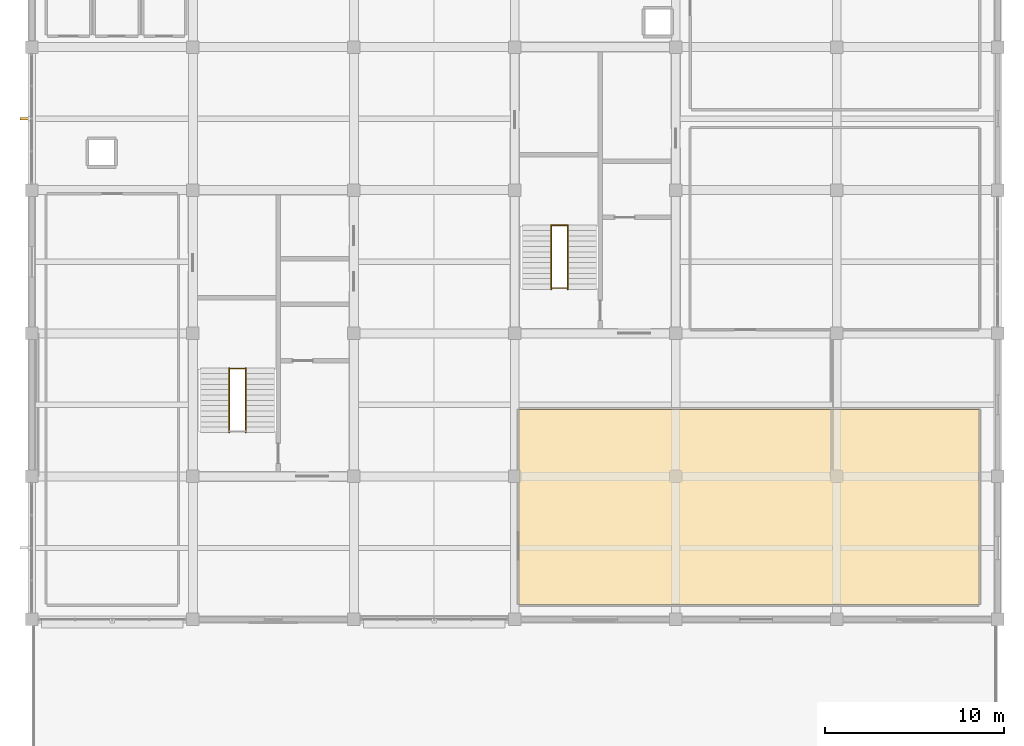
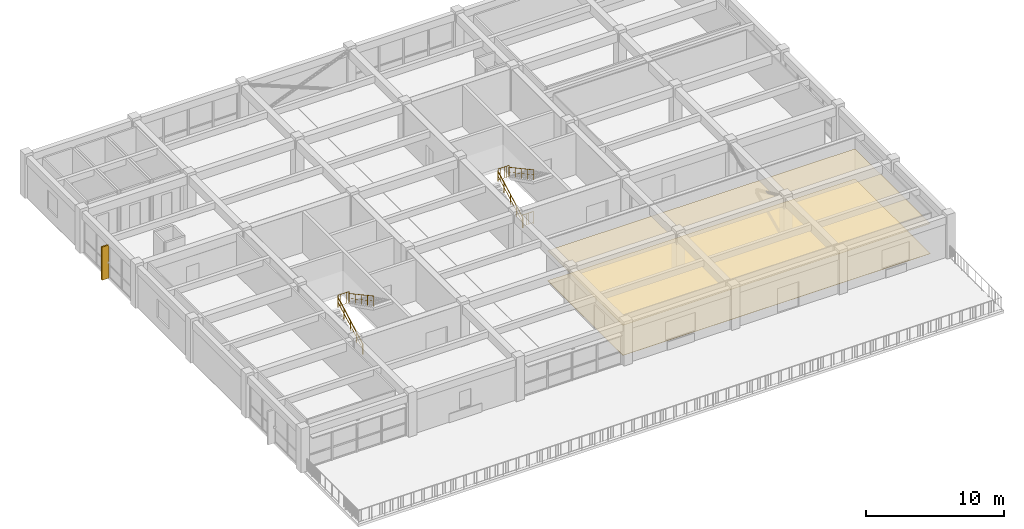
# One storey, part 14 of 14: 7 railings, 2 coverings, 1 shading device.
"""IFC4 building model written with IfcOpenShell, lengths in metres."""

from ifc_helpers import new_model, si_unit, direction, frame, frame_2d, origin, origin_2d, place, context, subcontext, project, spatial, polyline, rectangle, circle, outline, extrude, material, layer, layer_set, type_object, element, save


model = new_model("IFC4")

# Units and contexts
model_context = context("Model", 3, precision=1e-05, world=origin(), true_north=direction((0.0, 1.0)))
body_context = subcontext(model_context, "Body", "Model", "MODEL_VIEW")
ifc_project = project(units=[si_unit("LENGTHUNIT", "METRE"), si_unit("AREAUNIT", "SQUARE_METRE"), si_unit("VOLUMEUNIT", "CUBIC_METRE"), si_unit("PLANEANGLEUNIT", "RADIAN"), si_unit("MASSUNIT", "GRAM", prefix="KILO")], contexts=[model_context])

# Site, building, storey
site_placement = place(None, origin())
site = spatial("IfcSite", under=ifc_project, at=site_placement, CompositionType="ELEMENT")
building_placement = place(site_placement, origin())
building = spatial("IfcBuilding", under=site, at=building_placement, Name="Zaverband Oceanarium and Marine Research Institute", CompositionType="ELEMENT")
storey_placement = place(building_placement, frame((0.0, 0.0, 57.0)))
storey = spatial("IfcBuildingStorey", under=building, at=storey_placement, Name="L14", CompositionType="ELEMENT", Elevation=57.0)

# Coverings
ifc_material_1 = material(Name="Perforated mineral-fibre acoustic ceiling tile")
ifc_layer_1 = layer(ifc_material_1, 0.02490234375, Name="Perforated mineral-fibre acoustic ceiling tile")
ifc_layer_set_1 = layer_set([ifc_layer_1], Name="Perforated mineral-fibre acoustic ceiling tile")
covering_type_1 = type_object("IfcCoveringType", Name="CLG-AC-15", PredefinedType="CEILING", material=ifc_layer_set_1)
covering_1_placement = place(storey_placement, frame((0.0, 0.0, 2.659912109375)))
element("IfcCovering", 1, at=covering_1_placement, inside=storey, type_object=covering_type_1, Name="Suspended acoustic ceiling CLG-AC-15", PredefinedType="CEILING", context=body_context, shape_type="SweptSolid", body=[
    extrude(outline(polyline([(36.25, 72.85009765625), (61.949951171875, 72.85009765625), (61.949951171875, 83.75), (36.25, 83.75), (36.25, 72.85009765625)])), origin(), (0.0, 0.0, 1.0), 0.025146484375),
])
ifc_material_2 = material(Name="Polished marine terrazzo and seamless laboratory epoxy flooring")
ifc_layer_2 = layer(ifc_material_2, 0.02490234375, Name="Polished marine terrazzo and seamless laboratory epoxy flooring")
ifc_layer_set_2 = layer_set([ifc_layer_2], Name="Polished marine terrazzo and seamless laboratory epoxy flooring")
covering_type_2 = type_object("IfcCoveringType", Name="FLR-TRZ-20", PredefinedType="FLOORING", material=ifc_layer_set_2)
covering_2_placement = place(storey_placement, origin())
element("IfcCovering", 2, at=covering_2_placement, inside=storey, type_object=covering_type_2, Name="Terrazzo and marine epoxy floor finish FLR-TRZ-20", PredefinedType="FLOORING", context=body_context, shape_type="SweptSolid", body=[
    extrude(outline(polyline([(36.25, 72.85009765625), (61.949951171875, 72.85009765625), (61.949951171875, 83.75), (36.25, 83.75), (36.25, 72.85009765625)])), origin(), (0.0, 0.0, 1.0), 0.02490234375),
])

# Railings
ifc_material_3 = material(Name="Steel S355", Category="steel")
ifc_layer_3 = layer(ifc_material_3, 0.06005859375, Name="Steel S355")
ifc_layer_set_3 = layer_set([ifc_layer_3], Name="Steel S355")
railing_type_1 = type_object("IfcRailingType", Name="GRD-1100", PredefinedType="BALUSTRADE", material=ifc_layer_set_3)
for number, where, name in (
    (3, (20.0400390625, 86.030029296875, 1.949951171875), "1100 mm steel post-and-baluster safety guard GRD-1100"),
    (4, (38.0400390625, 94.030029296875, 1.949951171875), "1100 mm steel post-and-baluster safety guard GRD-1100"),
    (5, (38.0400390625, 90.530029296875, 0.0), "1100 mm steel post-and-baluster safety guard GRD-1100"),
):
    element("IfcRailing", number, at=place(storey_placement, frame(where)), inside=storey, type_object=railing_type_1, Name=name, PredefinedType="BALUSTRADE", context=body_context, shape_type="SweptSolid", body=[
        extrude(circle(Radius=0.02392578125, at=origin_2d()), frame((0.0, 0.0, 1.076171875), z_axis=(1.0, 0.0, 0.0), x_axis=(0.0, 1.0, 0.0)), (0.0, 0.0, 1.0), 0.919921875),
        extrude(circle(Radius=0.009033203125, at=origin_2d()), frame((0.0, 0.0, 0.10009765625), z_axis=(1.0, 0.0, 0.0), x_axis=(0.0, 1.0, 0.0)), (0.0, 0.0, 1.0), 0.919921875),
        extrude(circle(Radius=0.009033203125, at=origin_2d()), frame((0.18408203125, 0.0, 0.10009765625)), (0.0, 0.0, 1.0), 0.951904296875),
        extrude(circle(Radius=0.009033203125, at=origin_2d()), frame((0.367919921875, 0.0, 0.10009765625)), (0.0, 0.0, 1.0), 0.951904296875),
        extrude(circle(Radius=0.009033203125, at=origin_2d()), frame((0.552001953125, 0.0, 0.10009765625)), (0.0, 0.0, 1.0), 0.951904296875),
        extrude(circle(Radius=0.009033203125, at=origin_2d()), frame((0.73583984375, 0.0, 0.10009765625)), (0.0, 0.0, 1.0), 0.951904296875),
        extrude(circle(Radius=0.02099609375, at=origin_2d()), origin(), (0.0, 0.0, 1.0), 1.052001953125),
        extrude(circle(Radius=0.02099609375, at=origin_2d()), frame((0.919921875, 0.0, 0.0)), (0.0, 0.0, 1.0), 1.052001953125),
    ])
ifc_layer_4 = layer(ifc_material_3, 0.050048828125, Name="Steel S355")
ifc_layer_set_4 = layer_set([ifc_layer_4], Name="Steel S355")
railing_type_2 = type_object("IfcRailingType", Name="HR-920", PredefinedType="HANDRAIL", material=ifc_layer_set_4)
railing_1_placement = place(storey_placement, frame((20.0400390625, 82.449951171875, 0.0)))
element("IfcRailing", 6, at=railing_1_placement, inside=storey, type_object=railing_type_2, Name="920 mm continuous tubular stair and ramp handrail HR-920", PredefinedType="HANDRAIL", context=body_context, shape_type="SweptSolid", body=[
    extrude(circle(Radius=0.02392578125, at=origin_2d()), frame((0.0, 0.0, 0.89599609375), z_axis=(0.0, 0.879302371543, 0.476263938798), x_axis=(-1.0, 0.0, 0.0)), (0.0, 0.0, 1.0), 4.09423828125),
    extrude(circle(Radius=0.009033203125, at=origin_2d()), frame((0.0, 0.0, 0.4599609375), z_axis=(0.0, 0.879302371543, 0.476263938798), x_axis=(-1.0, 0.0, 0.0)), (0.0, 0.0, 1.0), 4.09423828125),
    extrude(circle(Radius=0.02099609375, at=origin_2d()), origin(), (0.0, 0.0, 1.0), 0.871826171875),
    extrude(circle(Radius=0.02099609375, at=origin_2d()), frame((0.0, 0.89990234375, 0.487548828125)), (0.0, 0.0, 1.0), 0.871826171875),
    extrude(circle(Radius=0.02099609375, at=origin_2d()), frame((0.0, 1.800048828125, 0.97509765625)), (0.0, 0.0, 1.0), 0.871826171875),
    extrude(circle(Radius=0.02099609375, at=origin_2d()), frame((0.0, 2.7001953125, 1.46240234375)), (0.0, 0.0, 1.0), 0.871826171875),
    extrude(circle(Radius=0.02099609375, at=origin_2d()), frame((0.0, 3.60009765625, 1.949951171875)), (0.0, 0.0, 1.0), 0.871826171875),
])
railing_2_placement = place(storey_placement, frame((20.9599609375, 86.050048828125, 1.949951171875)))
element("IfcRailing", 7, at=railing_2_placement, inside=storey, type_object=railing_type_2, Name="920 mm continuous tubular stair and ramp handrail HR-920", PredefinedType="HANDRAIL", context=body_context, shape_type="SweptSolid", body=[
    extrude(circle(Radius=0.02392578125, at=origin_2d()), frame((0.0, 0.0, 0.89599609375), z_axis=(0.0, -0.879302371543, 0.476263938798), x_axis=(1.0, 0.0, 0.0)), (0.0, 0.0, 1.0), 4.09423828125),
    extrude(circle(Radius=0.009033203125, at=origin_2d()), frame((0.0, 0.0, 0.4599609375), z_axis=(0.0, -0.879302371543, 0.476263938798), x_axis=(1.0, 0.0, 0.0)), (0.0, 0.0, 1.0), 4.09423828125),
    extrude(circle(Radius=0.02099609375, at=origin_2d()), origin(), (0.0, 0.0, 1.0), 0.871826171875),
    extrude(circle(Radius=0.02099609375, at=origin_2d()), frame((0.0, -0.89990234375, 0.487548828125)), (0.0, 0.0, 1.0), 0.871826171875),
    extrude(circle(Radius=0.02099609375, at=origin_2d()), frame((0.0, -1.800048828125, 0.97509765625)), (0.0, 0.0, 1.0), 0.871826171875),
    extrude(circle(Radius=0.02099609375, at=origin_2d()), frame((0.0, -2.7001953125, 1.46240234375)), (0.0, 0.0, 1.0), 0.871826171875),
    extrude(circle(Radius=0.02099609375, at=origin_2d()), frame((0.0, -3.60009765625, 1.949951171875)), (0.0, 0.0, 1.0), 0.871826171875),
])
railing_3_placement = place(storey_placement, frame((38.0400390625, 90.449951171875, 0.0)))
element("IfcRailing", 8, at=railing_3_placement, inside=storey, type_object=railing_type_2, Name="920 mm continuous tubular stair and ramp handrail HR-920", PredefinedType="HANDRAIL", context=body_context, shape_type="SweptSolid", body=[
    extrude(circle(Radius=0.02392578125, at=origin_2d()), frame((0.0, 0.0, 0.89599609375), z_axis=(0.0, 0.879302371543, 0.476263938798), x_axis=(-1.0, 0.0, 0.0)), (0.0, 0.0, 1.0), 4.09423828125),
    extrude(circle(Radius=0.009033203125, at=origin_2d()), frame((0.0, 0.0, 0.4599609375), z_axis=(0.0, 0.879302371543, 0.476263938798), x_axis=(-1.0, 0.0, 0.0)), (0.0, 0.0, 1.0), 4.09423828125),
    extrude(circle(Radius=0.02099609375, at=origin_2d()), origin(), (0.0, 0.0, 1.0), 0.871826171875),
    extrude(circle(Radius=0.02099609375, at=origin_2d()), frame((0.0, 0.89990234375, 0.487548828125)), (0.0, 0.0, 1.0), 0.871826171875),
    extrude(circle(Radius=0.02099609375, at=origin_2d()), frame((0.0, 1.800048828125, 0.97509765625)), (0.0, 0.0, 1.0), 0.871826171875),
    extrude(circle(Radius=0.02099609375, at=origin_2d()), frame((0.0, 2.7001953125, 1.46240234375)), (0.0, 0.0, 1.0), 0.871826171875),
    extrude(circle(Radius=0.02099609375, at=origin_2d()), frame((0.0, 3.60009765625, 1.949951171875)), (0.0, 0.0, 1.0), 0.871826171875),
])
railing_4_placement = place(storey_placement, frame((38.9599609375, 94.050048828125, 1.949951171875)))
element("IfcRailing", 9, at=railing_4_placement, inside=storey, type_object=railing_type_2, Name="920 mm continuous tubular stair and ramp handrail HR-920", PredefinedType="HANDRAIL", context=body_context, shape_type="SweptSolid", body=[
    extrude(circle(Radius=0.02392578125, at=origin_2d()), frame((0.0, 0.0, 0.89599609375), z_axis=(0.0, -0.879302371543, 0.476263938798), x_axis=(1.0, 0.0, 0.0)), (0.0, 0.0, 1.0), 4.09423828125),
    extrude(circle(Radius=0.009033203125, at=origin_2d()), frame((0.0, 0.0, 0.4599609375), z_axis=(0.0, -0.879302371543, 0.476263938798), x_axis=(1.0, 0.0, 0.0)), (0.0, 0.0, 1.0), 4.09423828125),
    extrude(circle(Radius=0.02099609375, at=origin_2d()), origin(), (0.0, 0.0, 1.0), 0.871826171875),
    extrude(circle(Radius=0.02099609375, at=origin_2d()), frame((0.0, -0.89990234375, 0.487548828125)), (0.0, 0.0, 1.0), 0.871826171875),
    extrude(circle(Radius=0.02099609375, at=origin_2d()), frame((0.0, -1.800048828125, 0.97509765625)), (0.0, 0.0, 1.0), 0.871826171875),
    extrude(circle(Radius=0.02099609375, at=origin_2d()), frame((0.0, -2.7001953125, 1.46240234375)), (0.0, 0.0, 1.0), 0.871826171875),
    extrude(circle(Radius=0.02099609375, at=origin_2d()), frame((0.0, -3.60009765625, 1.949951171875)), (0.0, 0.0, 1.0), 0.871826171875),
])

# Shading device
ifc_material_4 = material(Name="Concrete C40/50 precast brise-soleil", Category="concrete")
ifc_layer_5 = layer(ifc_material_4, 0.139892578125, Name="Concrete C40/50 precast brise-soleil")
ifc_layer_set_5 = layer_set([ifc_layer_5], Name="Concrete C40/50 precast brise-soleil")
shading_device_type = type_object("IfcShadingDeviceType", Name="SHD-FIN-600", PredefinedType="JALOUSIE", material=ifc_layer_set_5)
shading_device_placement = place(storey_placement, frame((8.93994140625, 100.0, 0.0), z_axis=(0.0, 0.0, 1.0), x_axis=(-1.0, 0.0, 0.0)))
element("IfcShadingDevice", 10, at=shading_device_placement, inside=storey, type_object=shading_device_type, Name="600 mm vertical precast brise-soleil fin SHD-FIN-600", PredefinedType="JALOUSIE", context=body_context, shape_type="SweptSolid", body=[
    extrude(rectangle(XDim=0.599853515625, YDim=0.139892578125, at=frame_2d((0.2998046875, 0.0))), origin(), (0.0, 0.0, 1.0), 2.929931640625),
])

save(model, "model.ifc")
